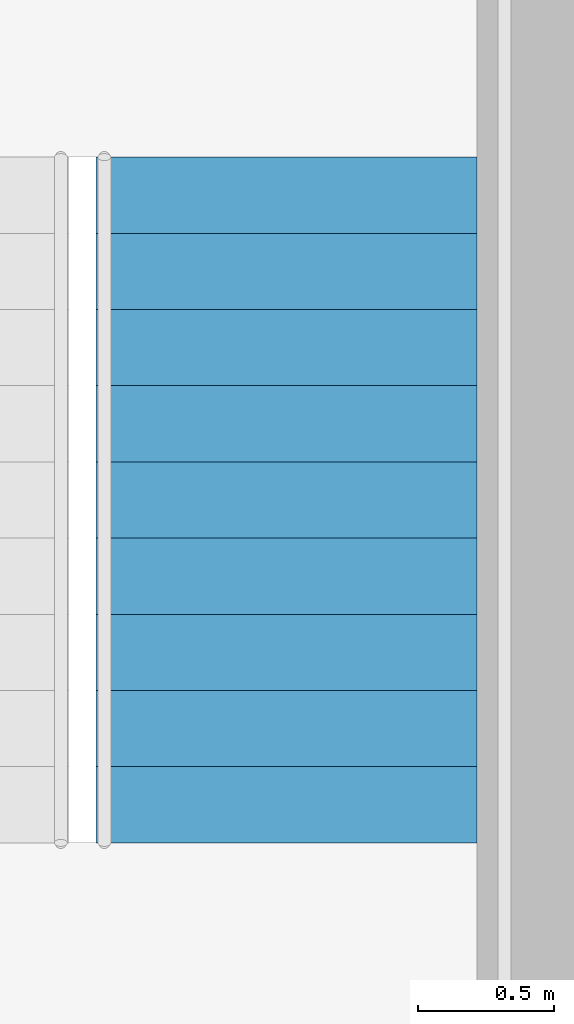
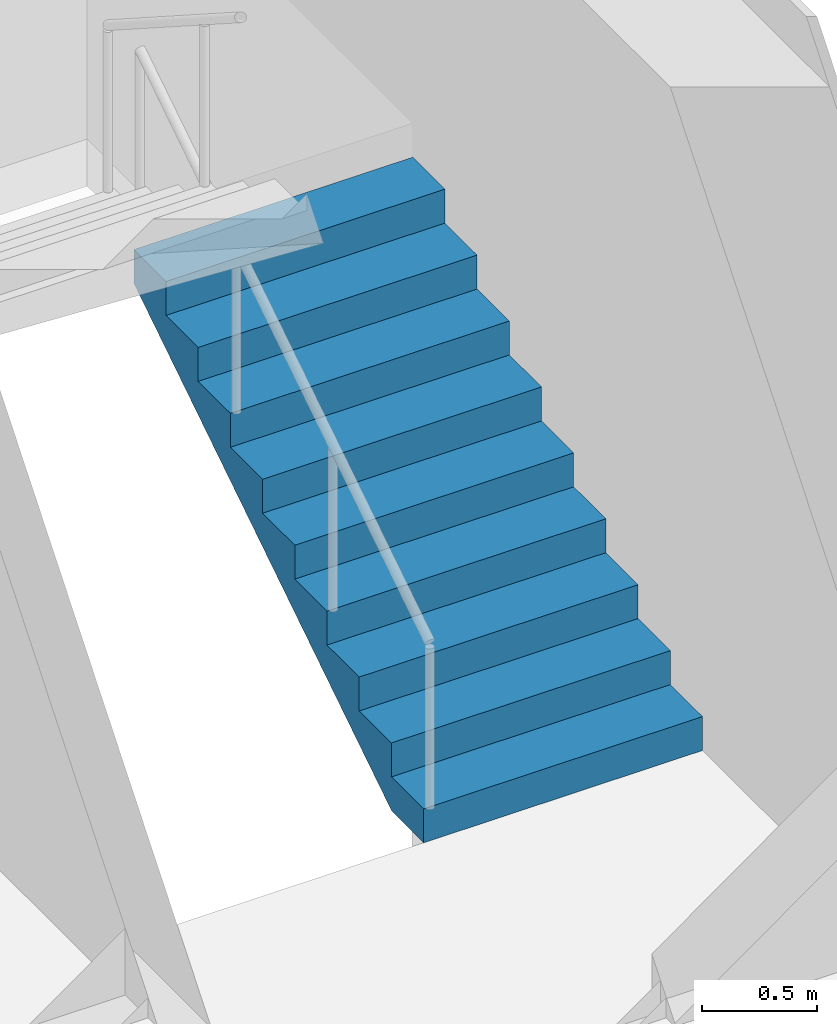
# One storey, part 39 of 40: 1 stair flight, 1 element without a shape of its own.
"""IFC4 building model written with IfcOpenShell, lengths in metres."""

from ifc_helpers import new_model, si_unit, direction, frame, origin, place, context, subcontext, project, spatial, polyline, outline, extrude, material, type_object, element, aggregate, save


model = new_model("IFC4")

# Units and contexts
model_context = context("Model", 3, precision=1e-05, world=origin(), true_north=direction((0.0, 1.0)))
body_context = subcontext(model_context, "Body", "Model", "MODEL_VIEW")
ifc_project = project(units=[si_unit("LENGTHUNIT", "METRE"), si_unit("AREAUNIT", "SQUARE_METRE"), si_unit("VOLUMEUNIT", "CUBIC_METRE"), si_unit("PLANEANGLEUNIT", "RADIAN"), si_unit("MASSUNIT", "GRAM", prefix="KILO")], contexts=[model_context])

# Site, building, storey
site_placement = place(None, origin())
site = spatial("IfcSite", under=ifc_project, at=site_placement, CompositionType="ELEMENT")
building_placement = place(site_placement, origin())
building = spatial("IfcBuilding", under=site, at=building_placement, Name="Altepetl Exchange Towers", CompositionType="ELEMENT")
storey_placement = place(building_placement, frame((0.0, 0.0, 161.800048828125)))
storey = spatial("IfcBuildingStorey", under=building, at=storey_placement, Name="L40", CompositionType="ELEMENT", Elevation=161.800048828125)

# Stair, stair flight
ifc_material = material(Name="Concrete C40/50", Category="concrete")
stair_type = type_object("IfcStairType", Name="Exit stair 1400 flights dogleg", PredefinedType="HALF_TURN_STAIR", material=ifc_material)
stair_placement = place(storey_placement, origin())
stair = element("IfcStair", 1, at=stair_placement, inside=storey, type_object=stair_type, Name="Exit stair 2", PredefinedType="HALF_TURN_STAIR")
stair_flight_type = type_object("IfcStairFlightType", Name="Stair flight 1400 wide", PredefinedType="STRAIGHT", material=ifc_material)
stair_flight_placement = place(storey_placement, frame((115.699951171875, 43.550048828125, 0.0), z_axis=(0.0, 0.0, 1.0), x_axis=(0.0, 1.0, 0.0)))
stair_flight = element("IfcStairFlight", 2, at=stair_flight_placement, type_object=stair_flight_type, Name="ST-B2e flight 1", NumberOfRisers=10, NumberOfTreads=9, PredefinedType="STRAIGHT", RiserHeight=0.18, TreadLength=0.28, context=body_context, shape_type="SweptSolid", body=[
    extrude(outline(polyline([(0.0, 0.0), (0.0, 0.179931640625), (0.280029296875, 0.179931640625), (0.280029296875, 0.360107421875), (0.56005859375, 0.360107421875), (0.56005859375, 0.5400390625), (0.840087890625, 0.5400390625), (0.840087890625, 0.719970703125), (1.1201171875, 0.719970703125), (1.1201171875, 0.89990234375), (1.39990234375, 0.89990234375), (1.39990234375, 1.080078125), (1.679931640625, 1.080078125), (1.679931640625, 1.260009765625), (1.9599609375, 1.260009765625), (1.9599609375, 1.43994140625), (2.239990234375, 1.43994140625), (2.239990234375, 1.6201171875), (2.52001953125, 1.6201171875), (2.52001953125, 1.800048828125), (2.52001953125, 1.44189453125), (0.277099609375, 0.0), (0.0, 0.0)])), frame((0.0, 0.699951171875, 0.0), z_axis=(0.0, -1.0, 0.0), x_axis=(1.0, 0.0, 0.0)), (0.0, 0.0, 1.0), 1.39990234375),
])
aggregate(stair, [stair_flight])

save(model, "model.ifc")
